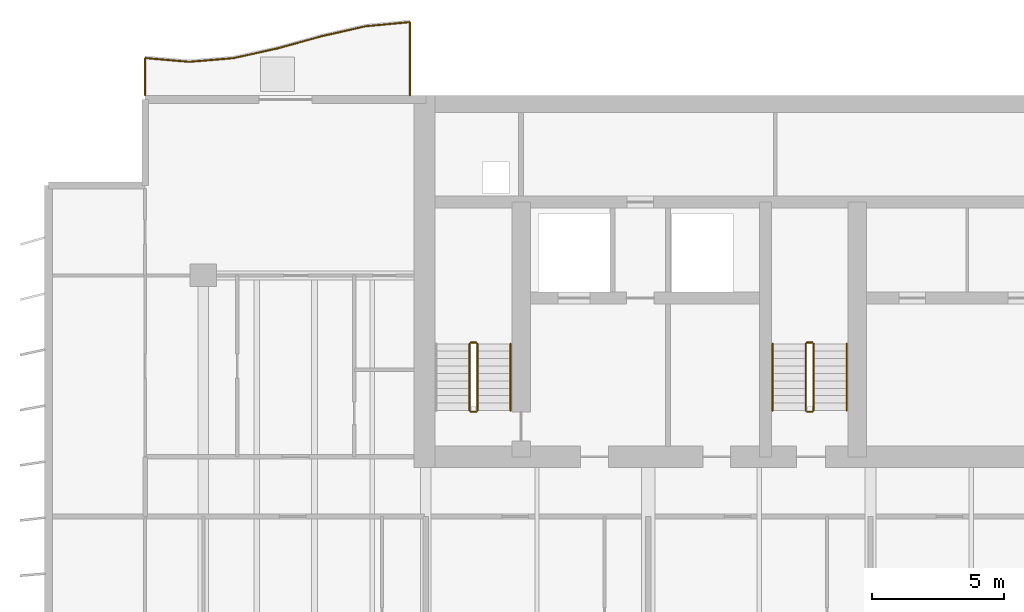
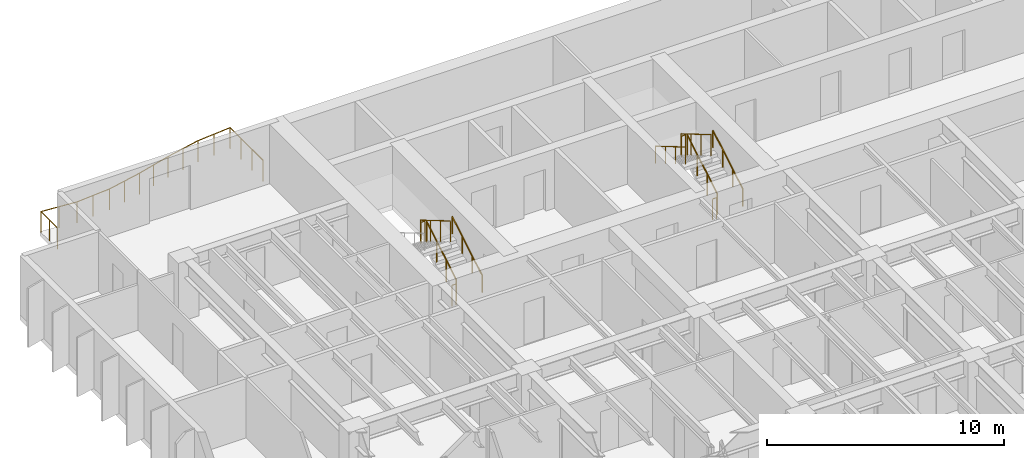
# One storey, part 16 of 18: 12 railings.
"""IFC4 building model written with IfcOpenShell, lengths in metres."""

from ifc_helpers import new_model, si_unit, direction, frame, origin, origin_2d, place, context, subcontext, project, spatial, circle, extrude, material, type_object, element, save


model = new_model("IFC4")

# Units and contexts
model_context = context("Model", 3, precision=1e-05, world=origin(), true_north=direction((0.0, 1.0)))
body_context = subcontext(model_context, "Body", "Model", "MODEL_VIEW")
ifc_project = project(units=[si_unit("LENGTHUNIT", "METRE"), si_unit("AREAUNIT", "SQUARE_METRE"), si_unit("VOLUMEUNIT", "CUBIC_METRE"), si_unit("PLANEANGLEUNIT", "RADIAN"), si_unit("MASSUNIT", "GRAM", prefix="KILO")], contexts=[model_context])

# Site, building, storey
site_placement = place(None, origin())
site = spatial("IfcSite", under=ifc_project, at=site_placement, CompositionType="ELEMENT")
building_placement = place(site_placement, origin())
building = spatial("IfcBuilding", under=site, at=building_placement, Name="Caelmar Bay Residences", CompositionType="ELEMENT")
storey_placement = place(building_placement, frame((0.0, 0.0, 122.39990234375)))
storey = spatial("IfcBuildingStorey", under=building, at=storey_placement, Name="L33", CompositionType="ELEMENT", Elevation=122.39990234375)

# Railings
ifc_material_1 = material(Name="Anodised bronze handrail with laminated hurricane glass infill", Category="glass")
railing_type_1 = type_object("IfcRailingType", Name="RL-BAL-1100", PredefinedType="BALUSTRADE", material=ifc_material_1)
railing_1_placement = place(storey_placement, frame((17.699951171875, 50.60009765625, 0.0)))
element("IfcRailing", 1, at=railing_1_placement, inside=storey, type_object=railing_type_1, Name="L33 north_west Balcony Balustrade", PredefinedType="BALUSTRADE", context=body_context, shape_type="SweptSolid", body=[
    extrude(circle(Radius=0.02392578125, at=origin_2d()), frame((0.0, 0.0, 1.076171875), z_axis=(0.0, 1.0, 0.0), x_axis=(-1.0, 0.0, 0.0)), (0.0, 0.0, 1.0), 2.76953125),
    extrude(circle(Radius=0.02392578125, at=origin_2d()), frame((0.0, 2.76953125, 1.076171875), z_axis=(-0.995755786783, -0.092034847145, 0.0), x_axis=(0.092034847145, -0.995755786783, 0.0)), (0.0, 0.0, 1.0), 1.673828125),
    extrude(circle(Radius=0.02392578125, at=origin_2d()), frame((-1.666748046875, 2.615478515625, 1.076171875), z_axis=(-0.975205779848, -0.221299993112, 0.0), x_axis=(0.221299993112, -0.975205779848, 0.0)), (0.0, 0.0, 1.0), 1.708984375),
    extrude(circle(Radius=0.02392578125, at=origin_2d()), frame((-3.333251953125, 2.2373046875, 1.076171875), z_axis=(-0.964003851304, -0.265888274792, 0.0), x_axis=(0.265888274792, -0.964003851304, 0.0)), (0.0, 0.0, 1.0), 1.72900390625),
    extrude(circle(Radius=0.02392578125, at=origin_2d()), frame((-5.0, 1.777587890625, 1.076171875), z_axis=(-0.97637178472, -0.216097519659, 0.0), x_axis=(0.216097519659, -0.97637178472, 0.0)), (0.0, 0.0, 1.0), 1.70703125),
    extrude(circle(Radius=0.02392578125, at=origin_2d()), frame((-6.666748046875, 1.40869140625, 1.076171875), z_axis=(-0.99655581948, -0.082924656529, 0.0), x_axis=(0.082924656529, -0.99655581948, 0.0)), (0.0, 0.0, 1.0), 1.67236328125),
    extrude(circle(Radius=0.02392578125, at=origin_2d()), frame((-8.333251953125, 1.27001953125, 1.076171875), z_axis=(-0.996336352645, 0.085521180995, 0.0), x_axis=(-0.085521180995, -0.996336352645, 0.0)), (0.0, 0.0, 1.0), 1.6728515625),
    extrude(circle(Radius=0.02392578125, at=origin_2d()), frame((-10.0, 1.4130859375, 1.076171875), z_axis=(0.0, -1.0, 0.0), x_axis=(1.0, 0.0, 0.0)), (0.0, 0.0, 1.0), 1.4130859375),
    extrude(circle(Radius=0.02099609375, at=origin_2d()), origin(), (0.0, 0.0, 1.0), 1.052001953125),
    extrude(circle(Radius=0.02099609375, at=origin_2d()), frame((0.0, 0.923095703125, 0.0)), (0.0, 0.0, 1.0), 1.052001953125),
    extrude(circle(Radius=0.02099609375, at=origin_2d()), frame((0.0, 1.846435546875, 0.0)), (0.0, 0.0, 1.0), 1.052001953125),
    extrude(circle(Radius=0.02099609375, at=origin_2d()), frame((0.0, 2.76953125, 0.0)), (0.0, 0.0, 1.0), 1.052001953125),
    extrude(circle(Radius=0.02099609375, at=origin_2d()), frame((-0.83349609375, 2.6923828125, 0.0)), (0.0, 0.0, 1.0), 1.052001953125),
    extrude(circle(Radius=0.02099609375, at=origin_2d()), frame((-1.666748046875, 2.615478515625, 0.0)), (0.0, 0.0, 1.0), 1.052001953125),
    extrude(circle(Radius=0.02099609375, at=origin_2d()), frame((-2.5, 2.42626953125, 0.0)), (0.0, 0.0, 1.0), 1.052001953125),
    extrude(circle(Radius=0.02099609375, at=origin_2d()), frame((-3.333251953125, 2.2373046875, 0.0)), (0.0, 0.0, 1.0), 1.052001953125),
    extrude(circle(Radius=0.02099609375, at=origin_2d()), frame((-4.16650390625, 2.00732421875, 0.0)), (0.0, 0.0, 1.0), 1.052001953125),
    extrude(circle(Radius=0.02099609375, at=origin_2d()), frame((-5.0, 1.777587890625, 0.0)), (0.0, 0.0, 1.0), 1.052001953125),
    extrude(circle(Radius=0.02099609375, at=origin_2d()), frame((-5.83349609375, 1.59326171875, 0.0)), (0.0, 0.0, 1.0), 1.052001953125),
    extrude(circle(Radius=0.02099609375, at=origin_2d()), frame((-6.666748046875, 1.40869140625, 0.0)), (0.0, 0.0, 1.0), 1.052001953125),
    extrude(circle(Radius=0.02099609375, at=origin_2d()), frame((-7.5, 1.33935546875, 0.0)), (0.0, 0.0, 1.0), 1.052001953125),
    extrude(circle(Radius=0.02099609375, at=origin_2d()), frame((-8.333251953125, 1.27001953125, 0.0)), (0.0, 0.0, 1.0), 1.052001953125),
    extrude(circle(Radius=0.02099609375, at=origin_2d()), frame((-9.16650390625, 1.341552734375, 0.0)), (0.0, 0.0, 1.0), 1.052001953125),
    extrude(circle(Radius=0.02099609375, at=origin_2d()), frame((-10.0, 1.4130859375, 0.0)), (0.0, 0.0, 1.0), 1.052001953125),
    extrude(circle(Radius=0.02099609375, at=origin_2d()), frame((-10.0, 0.70654296875, 0.0)), (0.0, 0.0, 1.0), 1.052001953125),
    extrude(circle(Radius=0.02099609375, at=origin_2d()), frame((-10.0, 0.0, 0.0)), (0.0, 0.0, 1.0), 1.052001953125),
])
ifc_material_2 = material(Name="Painted galvanized steel stair guard 1100 mm", Category="steel")
railing_type_2 = type_object("IfcRailingType", Name="RL-GRD-1100", PredefinedType="GUARDRAIL", material=ifc_material_2)
railing_2_placement = place(storey_placement, frame((20.25, 38.699951171875, 0.1650390625)))
element("IfcRailing", 2, at=railing_2_placement, inside=storey, type_object=railing_type_2, Name="L33 ST1 stair guard 1", PredefinedType="GUARDRAIL", context=body_context, shape_type="SweptSolid", body=[
    extrude(circle(Radius=0.02392578125, at=origin_2d()), frame((0.0, 0.0, 1.076171875), z_axis=(0.0, 0.86152411907, 0.507716645641), x_axis=(-1.0, 0.0, 0.0)), (0.0, 0.0, 1.0), 2.925048828125),
    extrude(circle(Radius=0.02099609375, at=origin_2d()), origin(), (0.0, 0.0, 1.0), 1.052001953125),
    extrude(circle(Radius=0.02099609375, at=origin_2d()), frame((0.0, 0.840087890625, 0.4951171875)), (0.0, 0.0, 1.0), 1.052001953125),
    extrude(circle(Radius=0.02099609375, at=origin_2d()), frame((0.0, 1.679931640625, 0.989990234375)), (0.0, 0.0, 1.0), 1.052001953125),
    extrude(circle(Radius=0.02099609375, at=origin_2d()), frame((0.0, 2.52001953125, 1.485107421875)), (0.0, 0.0, 1.0), 1.052001953125),
])
railing_3_placement = place(storey_placement, frame((20.199951171875, 41.27001953125, 1.650146484375)))
element("IfcRailing", 3, at=railing_3_placement, inside=storey, type_object=railing_type_2, Name="L33 ST1 stair guard 2", PredefinedType="GUARDRAIL", context=body_context, shape_type="SweptSolid", body=[
    extrude(circle(Radius=0.02392578125, at=origin_2d()), frame((0.0, 0.0, 1.076171875), z_axis=(-1.0, 0.0, 0.0), x_axis=(0.0, -1.0, 0.0)), (0.0, 0.0, 1.0), 0.199951171875),
    extrude(circle(Radius=0.02099609375, at=origin_2d()), origin(), (0.0, 0.0, 1.0), 1.052001953125),
    extrude(circle(Radius=0.02099609375, at=origin_2d()), frame((-0.199951171875, 0.0, 0.0)), (0.0, 0.0, 1.0), 1.052001953125),
])
railing_4_placement = place(storey_placement, frame((19.949951171875, 41.219970703125, 1.815185546875)))
element("IfcRailing", 4, at=railing_4_placement, inside=storey, type_object=railing_type_2, Name="L33 ST1 stair guard 3", PredefinedType="GUARDRAIL", context=body_context, shape_type="SweptSolid", body=[
    extrude(circle(Radius=0.02392578125, at=origin_2d()), frame((0.0, 0.0, 1.076171875), z_axis=(0.0, -0.861560626758, 0.507654692109), x_axis=(1.0, 0.0, 0.0)), (0.0, 0.0, 1.0), 2.925048828125),
    extrude(circle(Radius=0.02099609375, at=origin_2d()), origin(), (0.0, 0.0, 1.0), 1.052001953125),
    extrude(circle(Radius=0.02099609375, at=origin_2d()), frame((0.0, -0.840087890625, 0.494873046875)), (0.0, 0.0, 1.0), 1.052001953125),
    extrude(circle(Radius=0.02099609375, at=origin_2d()), frame((0.0, -1.679931640625, 0.989990234375)), (0.0, 0.0, 1.0), 1.052001953125),
    extrude(circle(Radius=0.02099609375, at=origin_2d()), frame((0.0, -2.52001953125, 1.48486328125)), (0.0, 0.0, 1.0), 1.052001953125),
])
railing_5_placement = place(storey_placement, frame((20.199951171875, 38.64990234375, 0.0)))
element("IfcRailing", 5, at=railing_5_placement, inside=storey, type_object=railing_type_2, Name="L33 ST1 stair guard 4", PredefinedType="GUARDRAIL", context=body_context, shape_type="SweptSolid", body=[
    extrude(circle(Radius=0.02392578125, at=origin_2d()), frame((0.0, 0.0, 1.076171875), z_axis=(-1.0, 0.0, 0.0), x_axis=(0.0, -1.0, 0.0)), (0.0, 0.0, 1.0), 0.199951171875),
    extrude(circle(Radius=0.02099609375, at=origin_2d()), origin(), (0.0, 0.0, 1.0), 1.052001953125),
    extrude(circle(Radius=0.02099609375, at=origin_2d()), frame((-0.199951171875, 0.0, 0.0)), (0.0, 0.0, 1.0), 1.052001953125),
])
railing_6_placement = place(storey_placement, frame((32.949951171875, 38.699951171875, 0.1650390625)))
element("IfcRailing", 6, at=railing_6_placement, inside=storey, type_object=railing_type_2, Name="L33 ST3 stair guard 1", PredefinedType="GUARDRAIL", context=body_context, shape_type="SweptSolid", body=[
    extrude(circle(Radius=0.02392578125, at=origin_2d()), frame((0.0, 0.0, 1.076171875), z_axis=(0.0, 0.86152411907, 0.507716645641), x_axis=(-1.0, 0.0, 0.0)), (0.0, 0.0, 1.0), 2.925048828125),
    extrude(circle(Radius=0.02099609375, at=origin_2d()), origin(), (0.0, 0.0, 1.0), 1.052001953125),
    extrude(circle(Radius=0.02099609375, at=origin_2d()), frame((0.0, 0.840087890625, 0.4951171875)), (0.0, 0.0, 1.0), 1.052001953125),
    extrude(circle(Radius=0.02099609375, at=origin_2d()), frame((0.0, 1.679931640625, 0.989990234375)), (0.0, 0.0, 1.0), 1.052001953125),
    extrude(circle(Radius=0.02099609375, at=origin_2d()), frame((0.0, 2.52001953125, 1.485107421875)), (0.0, 0.0, 1.0), 1.052001953125),
])
railing_7_placement = place(storey_placement, frame((32.89990234375, 41.27001953125, 1.650146484375)))
element("IfcRailing", 7, at=railing_7_placement, inside=storey, type_object=railing_type_2, Name="L33 ST3 stair guard 2", PredefinedType="GUARDRAIL", context=body_context, shape_type="SweptSolid", body=[
    extrude(circle(Radius=0.02392578125, at=origin_2d()), frame((0.0, 0.0, 1.076171875), z_axis=(-1.0, 0.0, 0.0), x_axis=(0.0, -1.0, 0.0)), (0.0, 0.0, 1.0), 0.199951171875),
    extrude(circle(Radius=0.02099609375, at=origin_2d()), origin(), (0.0, 0.0, 1.0), 1.052001953125),
    extrude(circle(Radius=0.02099609375, at=origin_2d()), frame((-0.199951171875, 0.0, 0.0)), (0.0, 0.0, 1.0), 1.052001953125),
])
railing_8_placement = place(storey_placement, frame((32.64990234375, 41.219970703125, 1.815185546875)))
element("IfcRailing", 8, at=railing_8_placement, inside=storey, type_object=railing_type_2, Name="L33 ST3 stair guard 3", PredefinedType="GUARDRAIL", context=body_context, shape_type="SweptSolid", body=[
    extrude(circle(Radius=0.02392578125, at=origin_2d()), frame((0.0, 0.0, 1.076171875), z_axis=(0.0, -0.861560626758, 0.507654692109), x_axis=(1.0, 0.0, 0.0)), (0.0, 0.0, 1.0), 2.925048828125),
    extrude(circle(Radius=0.02099609375, at=origin_2d()), origin(), (0.0, 0.0, 1.0), 1.052001953125),
    extrude(circle(Radius=0.02099609375, at=origin_2d()), frame((0.0, -0.840087890625, 0.494873046875)), (0.0, 0.0, 1.0), 1.052001953125),
    extrude(circle(Radius=0.02099609375, at=origin_2d()), frame((0.0, -1.679931640625, 0.989990234375)), (0.0, 0.0, 1.0), 1.052001953125),
    extrude(circle(Radius=0.02099609375, at=origin_2d()), frame((0.0, -2.52001953125, 1.48486328125)), (0.0, 0.0, 1.0), 1.052001953125),
])
railing_9_placement = place(storey_placement, frame((32.89990234375, 38.64990234375, 0.0)))
element("IfcRailing", 9, at=railing_9_placement, inside=storey, type_object=railing_type_2, Name="L33 ST3 stair guard 4", PredefinedType="GUARDRAIL", context=body_context, shape_type="SweptSolid", body=[
    extrude(circle(Radius=0.02392578125, at=origin_2d()), frame((0.0, 0.0, 1.076171875), z_axis=(-1.0, 0.0, 0.0), x_axis=(0.0, -1.0, 0.0)), (0.0, 0.0, 1.0), 0.199951171875),
    extrude(circle(Radius=0.02099609375, at=origin_2d()), origin(), (0.0, 0.0, 1.0), 1.052001953125),
    extrude(circle(Radius=0.02099609375, at=origin_2d()), frame((-0.199951171875, 0.0, 0.0)), (0.0, 0.0, 1.0), 1.052001953125),
])
ifc_material_3 = material(Name="Brushed bronze stainless-steel tubular handrail 900 mm", Category="steel")
railing_type_3 = type_object("IfcRailingType", Name="RL-HND-900", PredefinedType="HANDRAIL", material=ifc_material_3)
for number, where, name in (
    (10, (21.5, 38.699951171875, 0.1650390625), "L33 ST1 stair handrail 1"),
    (11, (34.199951171875, 38.699951171875, 0.1650390625), "L33 ST3 stair handrail 1"),
):
    element("IfcRailing", number, at=place(storey_placement, frame(where)), inside=storey, type_object=railing_type_3, Name=name, PredefinedType="HANDRAIL", context=body_context, shape_type="SweptSolid", body=[
        extrude(circle(Radius=0.02392578125, at=origin_2d()), frame((0.0, 0.0, 0.8759765625), z_axis=(0.0, 0.86152411907, 0.507716645641), x_axis=(-1.0, 0.0, 0.0)), (0.0, 0.0, 1.0), 2.925048828125),
        extrude(circle(Radius=0.02099609375, at=origin_2d()), origin(), (0.0, 0.0, 1.0), 0.851806640625),
        extrude(circle(Radius=0.02099609375, at=origin_2d()), frame((0.0, 0.840087890625, 0.4951171875)), (0.0, 0.0, 1.0), 0.851806640625),
        extrude(circle(Radius=0.02099609375, at=origin_2d()), frame((0.0, 1.679931640625, 0.989990234375)), (0.0, 0.0, 1.0), 0.851806640625),
        extrude(circle(Radius=0.02099609375, at=origin_2d()), frame((0.0, 2.52001953125, 1.485107421875)), (0.0, 0.0, 1.0), 0.851806640625),
    ])
railing_10_placement = place(storey_placement, frame((31.39990234375, 41.219970703125, 1.815185546875)))
element("IfcRailing", 12, at=railing_10_placement, inside=storey, type_object=railing_type_3, Name="L33 ST3 stair handrail 2", PredefinedType="HANDRAIL", context=body_context, shape_type="SweptSolid", body=[
    extrude(circle(Radius=0.02392578125, at=origin_2d()), frame((0.0, 0.0, 0.8759765625), z_axis=(0.0, -0.861560626758, 0.507654692109), x_axis=(1.0, 0.0, 0.0)), (0.0, 0.0, 1.0), 2.925048828125),
    extrude(circle(Radius=0.02099609375, at=origin_2d()), origin(), (0.0, 0.0, 1.0), 0.851806640625),
    extrude(circle(Radius=0.02099609375, at=origin_2d()), frame((0.0, -0.840087890625, 0.494873046875)), (0.0, 0.0, 1.0), 0.851806640625),
    extrude(circle(Radius=0.02099609375, at=origin_2d()), frame((0.0, -1.679931640625, 0.989990234375)), (0.0, 0.0, 1.0), 0.851806640625),
    extrude(circle(Radius=0.02099609375, at=origin_2d()), frame((0.0, -2.52001953125, 1.48486328125)), (0.0, 0.0, 1.0), 0.851806640625),
])

save(model, "model.ifc")
